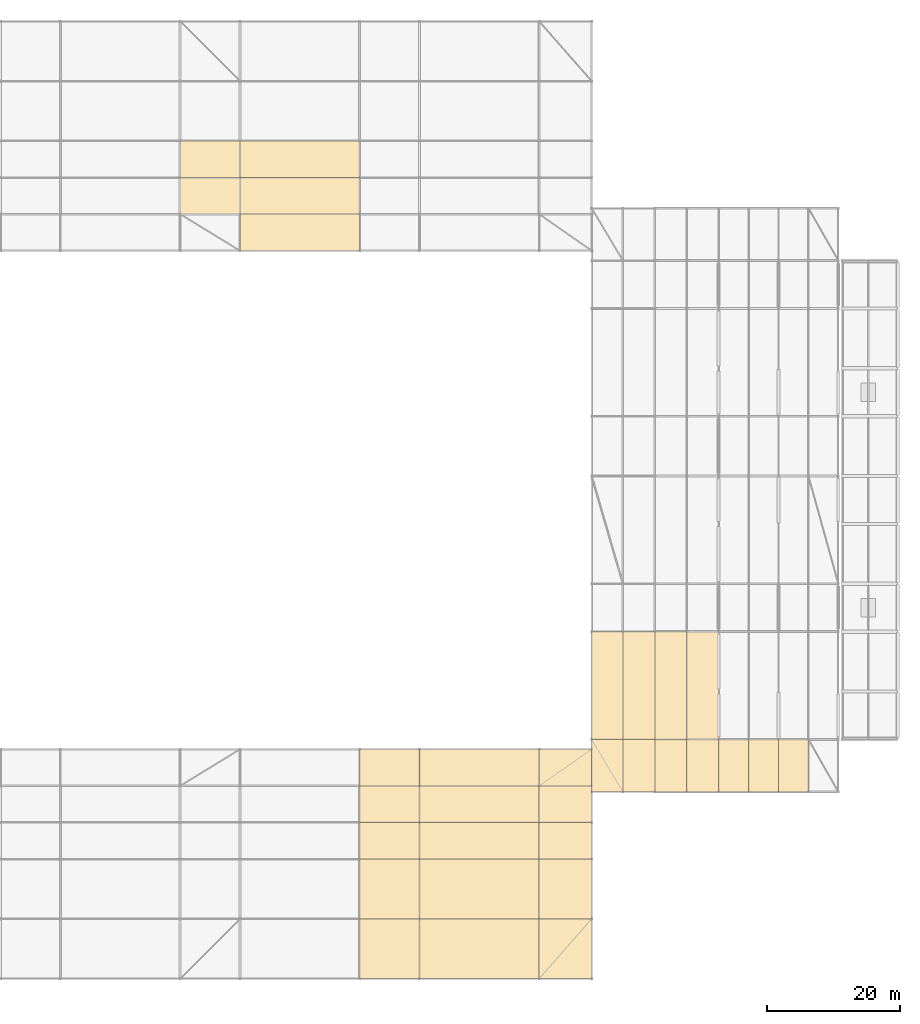
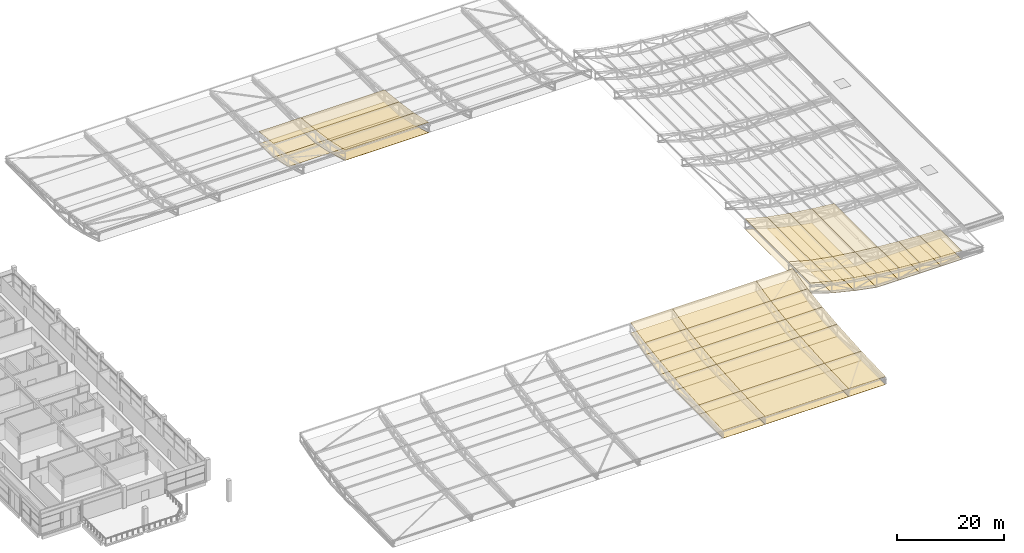
# One storey, part 111 of 114: 60 coverings, 4 elements without a shape of their own.
"""IFC4 building model written with IfcOpenShell, lengths in metres."""

from ifc_helpers import new_model, si_unit, direction, frame, origin, place, context, subcontext, project, spatial, polyline, outline, extrude, material, layer, layer_set, type_object, element, aggregate, save


model = new_model("IFC4")

# Units and contexts
model_context = context("Model", 3, precision=1e-05, world=origin(), true_north=direction((0.0, 1.0)))
body_context = subcontext(model_context, "Body", "Model", "MODEL_VIEW")
ifc_project = project(units=[si_unit("LENGTHUNIT", "METRE"), si_unit("AREAUNIT", "SQUARE_METRE"), si_unit("VOLUMEUNIT", "CUBIC_METRE"), si_unit("PLANEANGLEUNIT", "RADIAN"), si_unit("MASSUNIT", "GRAM", prefix="KILO"), si_unit("THERMODYNAMICTEMPERATUREUNIT", "KELVIN"), si_unit("POWERUNIT", "WATT")], contexts=[model_context])

# Site, building, storey
site_placement = place(None, origin())
site = spatial("IfcSite", under=ifc_project, at=site_placement, CompositionType="ELEMENT")
building_placement = place(site_placement, origin())
building = spatial("IfcBuilding", under=site, at=building_placement, Name="Sindhuravela Promenade Stadium", CompositionType="ELEMENT")
storey_placement = place(building_placement, frame((0.0, 0.0, 24.0)))
storey = spatial("IfcBuildingStorey", under=building, at=storey_placement, Name="L05", CompositionType="ELEMENT", Elevation=24.0)

# Roof, coverings
ifc_material_1 = material(Name="Standing-seam zinc-aluminium roof sheet", Category="aluminium")
roof_type_1 = type_object("IfcRoofType", Name="RF-BARREL-E", PredefinedType="BARREL_ROOF", material=ifc_material_1)
roof_1_placement = place(storey_placement, origin())
roof_1 = element("IfcRoof", 1, at=roof_1_placement, inside=storey, type_object=roof_type_1, Name="Cantilevered stand roof assembly E-1", PredefinedType="BARREL_ROOF")
ifc_layer_1 = layer(ifc_material_1, 0.044921875)
ifc_layer_set_1 = layer_set([ifc_layer_1], Name="Standing-seam zinc-aluminium roof sheet")
covering_type_1 = type_object("IfcCoveringType", Name="CV-ROOF-E", PredefinedType="ROOFING", material=ifc_layer_set_1)
covering_1_placement = place(storey_placement, frame((193.5, 37.10009765625, 1.66064453125), z_axis=(0.044011133083803756, 0.0, 0.9990310406412203), x_axis=(0.0, 1.0, 0.0)))
covering_1 = element("IfcCovering", 2, at=covering_1_placement, type_object=covering_type_1, Name="Standing-seam roof covering E bay 1.2", PredefinedType="ROOFING", context=body_context, shape_type="SweptSolid", body=[
    extrude(outline(polyline([(0.0, 0.0), (7.89990234375, 0.0), (7.89990234375, 4.504364546182378), (0.0, 4.504364546182378), (0.0, 0.0)])), origin(), (0.0, 0.0, -1.0), 0.044921875),
])
covering_2_placement = place(storey_placement, frame((189.0, 37.10009765625, 1.85888671875), z_axis=(0.060436199081064255, 0.0, 0.9981720622420935), x_axis=(0.0, 1.0, 0.0)))
covering_2 = element("IfcCovering", 3, at=covering_2_placement, type_object=covering_type_1, Name="Standing-seam roof covering E bay 1.3", PredefinedType="ROOFING", context=body_context, shape_type="SweptSolid", body=[
    extrude(outline(polyline([(0.0, 0.0), (7.89990234375, 0.0), (7.89990234375, 4.508240783549985), (0.0, 4.508240783549985), (0.0, 0.0)])), origin(), (0.0, 0.0, -1.0), 0.044921875),
])
covering_3_placement = place(storey_placement, frame((184.5, 37.10009765625, 2.13134765625), z_axis=(0.07896274138457582, 0.0, 0.996877567945549), x_axis=(0.0, 1.0, 0.0)))
covering_3 = element("IfcCovering", 4, at=covering_3_placement, type_object=covering_type_1, Name="Standing-seam roof covering E bay 1.4", PredefinedType="ROOFING", context=body_context, shape_type="SweptSolid", body=[
    extrude(outline(polyline([(0.0, 0.0), (7.89990234375, 0.0), (7.89990234375, 4.514094954783653), (0.0, 4.514094954783653), (0.0, 0.0)])), origin(), (0.0, 0.0, -1.0), 0.044921875),
])
covering_4_placement = place(storey_placement, frame((180.0, 37.10009765625, 2.48779296875), z_axis=(0.10190304617894302, 0.0, 0.9947943351162855), x_axis=(0.0, 1.0, 0.0)))
covering_4 = element("IfcCovering", 5, at=covering_4_placement, type_object=covering_type_1, Name="Standing-seam roof covering E bay 1.5", PredefinedType="ROOFING", context=body_context, shape_type="SweptSolid", body=[
    extrude(outline(polyline([(0.0, 0.0), (7.89990234375, 0.0), (7.89990234375, 4.825167030694747), (0.0, 4.825167030694747), (0.0, 0.0)])), origin(), (0.0, 0.0, -1.0), 0.044921875),
])
covering_5_placement = place(storey_placement, frame((175.199951171875, 37.10009765625, 2.9794921875), z_axis=(0.1322396730802035, 0.0, 0.9912177706556925), x_axis=(0.0, 1.0, 0.0)))
covering_5 = element("IfcCovering", 6, at=covering_5_placement, type_object=covering_type_1, Name="Standing-seam roof covering E bay 1.6", PredefinedType="ROOFING", context=body_context, shape_type="SweptSolid", body=[
    extrude(outline(polyline([(0.0, 0.0), (7.89990234375, 0.0), (7.89990234375, 4.842577453943101), (0.0, 4.842577453943101), (0.0, 0.0)])), origin(), (0.0, 0.0, -1.0), 0.044921875),
])
covering_6_placement = place(storey_placement, frame((170.39990234375, 37.10009765625, 3.619873046875), z_axis=(0.17653223173388988, 0.0, 0.9842948598662152), x_axis=(0.0, 1.0, 0.0)))
covering_6 = element("IfcCovering", 7, at=covering_6_placement, type_object=covering_type_1, Name="Standing-seam roof covering E bay 1.7", PredefinedType="ROOFING", context=body_context, shape_type="SweptSolid", body=[
    extrude(outline(polyline([(0.0, 0.0), (7.89990234375, 0.0), (7.89990234375, 4.876389061050656), (0.0, 4.876389061050656), (0.0, 0.0)])), origin(), (0.0, 0.0, -1.0), 0.044921875),
])
covering_7_placement = place(storey_placement, frame((165.60009765625, 37.10009765625, 4.480712890625), z_axis=(0.2568720746349965, 0.0, 0.9664454134987204), x_axis=(0.0, 1.0, 0.0)))
covering_7 = element("IfcCovering", 8, at=covering_7_placement, type_object=covering_type_1, Name="Standing-seam roof covering E bay 1.8", PredefinedType="ROOFING", context=body_context, shape_type="SweptSolid", body=[
    extrude(outline(polyline([(0.0, 0.0), (7.89990234375, 0.0), (7.89990234375, 4.8633841568810166), (0.0, 4.8633841568810166), (0.0, 0.0)])), origin(), (0.0, 0.0, -1.0), 0.044921875),
])
covering_8_placement = place(storey_placement, frame((180.0, 45.0, 2.48779296875), z_axis=(0.10190304617894302, 0.0, 0.9947943351162853), x_axis=(0.0, 1.0, 0.0)))
covering_8 = element("IfcCovering", 9, at=covering_8_placement, type_object=covering_type_1, Name="Standing-seam roof covering E bay 2.5", PredefinedType="ROOFING", context=body_context, shape_type="SweptSolid", body=[
    extrude(outline(polyline([(0.0, 0.0), (16.199951171875, 0.0), (16.199951171875, 4.825167030694746), (0.0, 4.825167030694746), (0.0, 0.0)])), origin(), (0.0, 0.0, -1.0), 0.044921875),
])
covering_9_placement = place(storey_placement, frame((175.199951171875, 45.0, 2.9794921875), z_axis=(0.1322396730802035, 0.0, 0.9912177706556924), x_axis=(0.0, 1.0, 0.0)))
covering_9 = element("IfcCovering", 10, at=covering_9_placement, type_object=covering_type_1, Name="Standing-seam roof covering E bay 2.6", PredefinedType="ROOFING", context=body_context, shape_type="SweptSolid", body=[
    extrude(outline(polyline([(0.0, 0.0), (16.199951171875, 0.0), (16.199951171875, 4.842577453943101), (0.0, 4.842577453943101), (0.0, 0.0)])), origin(), (0.0, 0.0, -1.0), 0.044921875),
])
covering_10_placement = place(storey_placement, frame((170.39990234375, 45.0, 3.619873046875), z_axis=(0.17653223173388985, 0.0, 0.9842948598662151), x_axis=(0.0, 1.0, 0.0)))
covering_10 = element("IfcCovering", 11, at=covering_10_placement, type_object=covering_type_1, Name="Standing-seam roof covering E bay 2.7", PredefinedType="ROOFING", context=body_context, shape_type="SweptSolid", body=[
    extrude(outline(polyline([(0.0, 0.0), (16.199951171875, 0.0), (16.199951171875, 4.876389061050656), (0.0, 4.876389061050656), (0.0, 0.0)])), origin(), (0.0, 0.0, -1.0), 0.044921875),
])
covering_11_placement = place(storey_placement, frame((165.60009765625, 45.0, 4.480712890625), z_axis=(0.2568720746349965, 0.0, 0.9664454134987206), x_axis=(0.0, 1.0, 0.0)))
covering_11 = element("IfcCovering", 12, at=covering_11_placement, type_object=covering_type_1, Name="Standing-seam roof covering E bay 2.8", PredefinedType="ROOFING", context=body_context, shape_type="SweptSolid", body=[
    extrude(outline(polyline([(0.0, 0.0), (16.199951171875, 0.0), (16.199951171875, 4.863384156881017), (0.0, 4.863384156881017), (0.0, 0.0)])), origin(), (0.0, 0.0, -1.0), 0.044921875),
])
aggregate(roof_1, [covering_1, covering_2, covering_3, covering_4, covering_5, covering_6, covering_7, covering_8, covering_9, covering_10, covering_11])

# Roof, covering
roof_type_2 = type_object("IfcRoofType", Name="RF-BARREL-N", PredefinedType="BARREL_ROOF", material=ifc_material_1)
roof_2_placement = place(storey_placement, origin())
roof_2 = element("IfcRoof", 13, at=roof_2_placement, inside=storey, type_object=roof_type_2, Name="Cantilevered stand roof assembly N-1", PredefinedType="BARREL_ROOF")
ifc_layer_2 = layer(ifc_material_1, 0.044921875)
ifc_layer_set_2 = layer_set([ifc_layer_2], Name="Standing-seam zinc-aluminium roof sheet")
covering_type_2 = type_object("IfcCoveringType", Name="CV-ROOF-N", PredefinedType="ROOFING", material=ifc_layer_set_2)
covering_12_placement = place(storey_placement, frame((99.0, 135.0, 2.47314453125), z_axis=(0.0, 0.1065455909441987, 0.9943078180575428), x_axis=(1.0, 0.0, 0.0)))
covering_12 = element("IfcCovering", 14, at=covering_12_placement, type_object=covering_type_2, Name="Standing-seam roof covering N bay 4.3", PredefinedType="ROOFING", context=body_context, shape_type="SweptSolid", body=[
    extrude(outline(polyline([(0.0, 0.0), (0.0, -5.531486226010649), (9.0, -5.531486226010649), (9.0, 0.0), (0.0, 0.0)])), origin(), (0.0, 0.0, -1.0), 0.044921875),
])
aggregate(roof_2, [covering_12])

# Roof, coverings
roof_3_placement = place(storey_placement, origin())
roof_3 = element("IfcRoof", 15, at=roof_3_placement, inside=storey, type_object=roof_type_2, Name="Cantilevered stand roof assembly N-2", PredefinedType="BARREL_ROOF")
covering_13_placement = place(storey_placement, frame((108.0, 135.0, 2.47314453125), z_axis=(0.0, 0.1065455909441987, 0.9943078180575428), x_axis=(1.0, 0.0, 0.0)))
covering_13 = element("IfcCovering", 16, at=covering_13_placement, type_object=covering_type_2, Name="Standing-seam roof covering N bay 5.3", PredefinedType="ROOFING", context=body_context, shape_type="SweptSolid", body=[
    extrude(outline(polyline([(0.0, 0.0), (0.0, -5.531486226010649), (18.0, -5.531486226010649), (18.0, 0.0), (0.0, 0.0)])), origin(), (0.0, 0.0, -1.0), 0.044921875),
])
covering_14_placement = place(storey_placement, frame((108.0, 129.5, 3.0625), z_axis=(0.0, 0.14687168523012892, 0.9891555530237203), x_axis=(1.0, 0.0, 0.0)))
covering_14 = element("IfcCovering", 17, at=covering_14_placement, type_object=covering_type_2, Name="Standing-seam roof covering N bay 5.4", PredefinedType="ROOFING", context=body_context, shape_type="SweptSolid", body=[
    extrude(outline(polyline([(0.0, 0.0), (0.0, -5.560298360745398), (18.0, -5.560298360745398), (18.0, 0.0), (0.0, 0.0)])), origin(), (0.0, 0.0, -1.0), 0.044921875),
])
covering_15_placement = place(storey_placement, frame((108.0, 124.0, 3.879150390625), z_axis=(0.0, 0.2184070831753663, 0.9758577488644689), x_axis=(1.0, 0.0, 0.0)))
covering_15 = element("IfcCovering", 18, at=covering_15_placement, type_object=covering_type_2, Name="Standing-seam roof covering N bay 5.5", PredefinedType="ROOFING", context=body_context, shape_type="SweptSolid", body=[
    extrude(outline(polyline([(0.0, 0.0), (0.0, -5.6360673534640995), (18.0, -5.6360673534640995), (18.0, 0.0), (0.0, 0.0)])), origin(), (0.0, 0.0, -1.0), 0.044921875),
])
aggregate(roof_3, [covering_13, covering_14, covering_15])

roof_type_3 = type_object("IfcRoofType", Name="RF-BARREL-S", PredefinedType="BARREL_ROOF", material=ifc_material_1)
roof_4_placement = place(storey_placement, origin())
roof_4 = element("IfcRoof", 19, at=roof_4_placement, inside=storey, type_object=roof_type_3, Name="Cantilevered stand roof assembly S-2", PredefinedType="BARREL_ROOF")
ifc_layer_3 = layer(ifc_material_1, 0.044921875)
ifc_layer_set_3 = layer_set([ifc_layer_3], Name="Standing-seam zinc-aluminium roof sheet")
covering_type_3 = type_object("IfcCoveringType", Name="CV-ROOF-S", PredefinedType="ROOFING", material=ifc_layer_set_3)
covering_16_placement = place(storey_placement, frame((126.0, 9.0, 1.510009765625), z_axis=(0.0, -0.03632583546850815, 0.9993399990381227), x_axis=(1.0, 0.0, 0.0)))
covering_16 = element("IfcCovering", 20, at=covering_16_placement, type_object=covering_type_3, Name="Standing-seam roof covering S bay 6.1", PredefinedType="ROOFING", context=body_context, shape_type="SweptSolid", body=[
    extrude(outline(polyline([(0.0, 0.0), (9.0, 0.0), (9.0, 9.005943931657509), (0.0, 9.005943931657509), (0.0, 0.0)])), origin(), (0.0, 0.0, -1.0), 0.044921875),
])
covering_17_placement = place(storey_placement, frame((126.0, 18.0, 1.837158203125), z_axis=(0.0, -0.07048937017679614, 0.9975125305940165), x_axis=(1.0, 0.0, 0.0)))
covering_17 = element("IfcCovering", 21, at=covering_17_placement, type_object=covering_type_3, Name="Standing-seam roof covering S bay 6.2", PredefinedType="ROOFING", context=body_context, shape_type="SweptSolid", body=[
    extrude(outline(polyline([(0.0, 0.0), (9.0, 0.0), (9.0, 9.022443051056733), (0.0, 9.022443051056733), (0.0, 0.0)])), origin(), (0.0, 0.0, -1.0), 0.044921875),
])
covering_18_placement = place(storey_placement, frame((126.0, 27.0, 2.47314453125), z_axis=(0.0, -0.1065455909441987, 0.9943078180575428), x_axis=(1.0, 0.0, 0.0)))
covering_18 = element("IfcCovering", 22, at=covering_18_placement, type_object=covering_type_3, Name="Standing-seam roof covering S bay 6.3", PredefinedType="ROOFING", context=body_context, shape_type="SweptSolid", body=[
    extrude(outline(polyline([(0.0, 0.0), (9.0, 0.0), (9.0, 5.531486226010649), (0.0, 5.531486226010649), (0.0, 0.0)])), origin(), (0.0, 0.0, -1.0), 0.044921875),
])
covering_19_placement = place(storey_placement, frame((126.0, 32.5, 3.0625), z_axis=(0.0, -0.14687168523012892, 0.9891555530237203), x_axis=(1.0, 0.0, 0.0)))
covering_19 = element("IfcCovering", 23, at=covering_19_placement, type_object=covering_type_3, Name="Standing-seam roof covering S bay 6.4", PredefinedType="ROOFING", context=body_context, shape_type="SweptSolid", body=[
    extrude(outline(polyline([(0.0, 0.0), (9.0, 0.0), (9.0, 5.560298360745398), (0.0, 5.560298360745398), (0.0, 0.0)])), origin(), (0.0, 0.0, -1.0), 0.044921875),
])
covering_20_placement = place(storey_placement, frame((126.0, 38.0, 3.879150390625), z_axis=(0.0, -0.2184070831753663, 0.9758577488644689), x_axis=(1.0, 0.0, 0.0)))
covering_20 = element("IfcCovering", 24, at=covering_20_placement, type_object=covering_type_3, Name="Standing-seam roof covering S bay 6.5", PredefinedType="ROOFING", context=body_context, shape_type="SweptSolid", body=[
    extrude(outline(polyline([(0.0, 0.0), (9.0, 0.0), (9.0, 5.6360673534640995), (0.0, 5.6360673534640995), (0.0, 0.0)])), origin(), (0.0, 0.0, -1.0), 0.044921875),
])
covering_21_placement = place(storey_placement, frame((135.0, 9.0, 1.510009765625), z_axis=(0.0, -0.03632583546850815, 0.9993399990381227), x_axis=(1.0, 0.0, 0.0)))
covering_21 = element("IfcCovering", 25, at=covering_21_placement, type_object=covering_type_3, Name="Standing-seam roof covering S bay 7.1", PredefinedType="ROOFING", context=body_context, shape_type="SweptSolid", body=[
    extrude(outline(polyline([(0.0, 0.0), (18.0, 0.0), (18.0, 9.005943931657509), (0.0, 9.005943931657509), (0.0, 0.0)])), origin(), (0.0, 0.0, -1.0), 0.044921875),
])
covering_22_placement = place(storey_placement, frame((135.0, 18.0, 1.837158203125), z_axis=(0.0, -0.07048937017679614, 0.9975125305940165), x_axis=(1.0, 0.0, 0.0)))
covering_22 = element("IfcCovering", 26, at=covering_22_placement, type_object=covering_type_3, Name="Standing-seam roof covering S bay 7.2", PredefinedType="ROOFING", context=body_context, shape_type="SweptSolid", body=[
    extrude(outline(polyline([(0.0, 0.0), (18.0, 0.0), (18.0, 9.022443051056733), (0.0, 9.022443051056733), (0.0, 0.0)])), origin(), (0.0, 0.0, -1.0), 0.044921875),
])
covering_23_placement = place(storey_placement, frame((135.0, 27.0, 2.47314453125), z_axis=(0.0, -0.1065455909441987, 0.9943078180575428), x_axis=(1.0, 0.0, 0.0)))
covering_23 = element("IfcCovering", 27, at=covering_23_placement, type_object=covering_type_3, Name="Standing-seam roof covering S bay 7.3", PredefinedType="ROOFING", context=body_context, shape_type="SweptSolid", body=[
    extrude(outline(polyline([(0.0, 0.0), (18.0, 0.0), (18.0, 5.531486226010649), (0.0, 5.531486226010649), (0.0, 0.0)])), origin(), (0.0, 0.0, -1.0), 0.044921875),
])
covering_24_placement = place(storey_placement, frame((135.0, 32.5, 3.0625), z_axis=(0.0, -0.14687168523012892, 0.9891555530237203), x_axis=(1.0, 0.0, 0.0)))
covering_24 = element("IfcCovering", 28, at=covering_24_placement, type_object=covering_type_3, Name="Standing-seam roof covering S bay 7.4", PredefinedType="ROOFING", context=body_context, shape_type="SweptSolid", body=[
    extrude(outline(polyline([(0.0, 0.0), (18.0, 0.0), (18.0, 5.560298360745398), (0.0, 5.560298360745398), (0.0, 0.0)])), origin(), (0.0, 0.0, -1.0), 0.044921875),
])
covering_25_placement = place(storey_placement, frame((135.0, 38.0, 3.879150390625), z_axis=(0.0, -0.2184070831753663, 0.9758577488644689), x_axis=(1.0, 0.0, 0.0)))
covering_25 = element("IfcCovering", 29, at=covering_25_placement, type_object=covering_type_3, Name="Standing-seam roof covering S bay 7.5", PredefinedType="ROOFING", context=body_context, shape_type="SweptSolid", body=[
    extrude(outline(polyline([(0.0, 0.0), (18.0, 0.0), (18.0, 5.6360673534640995), (0.0, 5.6360673534640995), (0.0, 0.0)])), origin(), (0.0, 0.0, -1.0), 0.044921875),
])
covering_26_placement = place(storey_placement, frame((153.0, 9.0, 1.510009765625), z_axis=(0.0, -0.03632583546850815, 0.9993399990381228), x_axis=(1.0, 0.0, 0.0)))
covering_26 = element("IfcCovering", 30, at=covering_26_placement, type_object=covering_type_3, Name="Standing-seam roof covering S bay 8.1", PredefinedType="ROOFING", context=body_context, shape_type="SweptSolid", body=[
    extrude(outline(polyline([(0.0, 0.0), (7.89990234375, 0.0), (7.89990234375, 9.00594393165751), (0.0, 9.00594393165751), (0.0, 0.0)])), origin(), (0.0, 0.0, -1.0), 0.044921875),
])
covering_27_placement = place(storey_placement, frame((153.0, 18.0, 1.837158203125), z_axis=(0.0, -0.07048937017679614, 0.9975125305940166), x_axis=(1.0, 0.0, 0.0)))
covering_27 = element("IfcCovering", 31, at=covering_27_placement, type_object=covering_type_3, Name="Standing-seam roof covering S bay 8.2", PredefinedType="ROOFING", context=body_context, shape_type="SweptSolid", body=[
    extrude(outline(polyline([(0.0, 0.0), (7.89990234375, 0.0), (7.89990234375, 9.022443051056733), (0.0, 9.022443051056733), (0.0, 0.0)])), origin(), (0.0, 0.0, -1.0), 0.044921875),
])
covering_28_placement = place(storey_placement, frame((153.0, 27.0, 2.47314453125), z_axis=(0.0, -0.10654559094419869, 0.9943078180575426), x_axis=(1.0, 0.0, 0.0)))
covering_28 = element("IfcCovering", 32, at=covering_28_placement, type_object=covering_type_3, Name="Standing-seam roof covering S bay 8.3", PredefinedType="ROOFING", context=body_context, shape_type="SweptSolid", body=[
    extrude(outline(polyline([(0.0, 0.0), (7.89990234375, 0.0), (7.89990234375, 5.5314862260106485), (0.0, 5.5314862260106485), (0.0, 0.0)])), origin(), (0.0, 0.0, -1.0), 0.044921875),
])
covering_29_placement = place(storey_placement, frame((153.0, 32.5, 3.0625), z_axis=(0.0, -0.14687168523012892, 0.9891555530237204), x_axis=(1.0, 0.0, 0.0)))
covering_29 = element("IfcCovering", 33, at=covering_29_placement, type_object=covering_type_3, Name="Standing-seam roof covering S bay 8.4", PredefinedType="ROOFING", context=body_context, shape_type="SweptSolid", body=[
    extrude(outline(polyline([(0.0, 0.0), (7.89990234375, 0.0), (7.89990234375, 5.560298360745398), (0.0, 5.560298360745398), (0.0, 0.0)])), origin(), (0.0, 0.0, -1.0), 0.044921875),
])
covering_30_placement = place(storey_placement, frame((153.0, 38.0, 3.879150390625), z_axis=(0.0, -0.21840708317536628, 0.9758577488644687), x_axis=(1.0, 0.0, 0.0)))
covering_30 = element("IfcCovering", 34, at=covering_30_placement, type_object=covering_type_3, Name="Standing-seam roof covering S bay 8.5", PredefinedType="ROOFING", context=body_context, shape_type="SweptSolid", body=[
    extrude(outline(polyline([(0.0, 0.0), (7.89990234375, 0.0), (7.89990234375, 5.6360673534640995), (0.0, 5.6360673534640995), (0.0, 0.0)])), origin(), (0.0, 0.0, -1.0), 0.044921875),
])
aggregate(roof_4, [covering_16, covering_17, covering_18, covering_19, covering_20, covering_21, covering_22, covering_23, covering_24, covering_25, covering_26, covering_27, covering_28, covering_29, covering_30])

# Coverings
ifc_material_2 = material(Name="White PVDF aluminium soffit cladding", Category="aluminium")
ifc_layer_4 = layer(ifc_material_2, 0.034912109375)
ifc_layer_set_4 = layer_set([ifc_layer_4], Name="White PVDF aluminium soffit cladding")
covering_type_4 = type_object("IfcCoveringType", Name="CV-SOFFIT-E", PredefinedType="CEILING", material=ifc_layer_set_4)
for number, where, z_axis, x_axis, name in (
    (35, (193.5, 37.10009765625, -0.300048828125), (0.0, 0.0, 1.0), (0.0, 1.0, 0.0), "Smooth white canopy soffit cladding E bay 1.2"),
    (36, (189.0, 37.10009765625, -0.300048828125), (0.0, 0.0, 1.0), (0.0, 1.0, 0.0), "Smooth white canopy soffit cladding E bay 1.3"),
    (37, (184.5, 37.10009765625, -0.300048828125), (0.0, 0.0, 1.0), (0.0, 1.0, 0.0), "Smooth white canopy soffit cladding E bay 1.4"),
):
    element("IfcCovering", number, at=place(storey_placement, frame(where, z_axis=z_axis, x_axis=x_axis)), inside=storey, type_object=covering_type_4, Name=name, PredefinedType="CEILING", context=body_context, shape_type="SweptSolid", body=[
        extrude(outline(polyline([(0.0, 0.0), (7.89990234375, 0.0), (7.89990234375, 4.5), (0.0, 4.5), (0.0, 0.0)])), origin(), (0.0, 0.0, -1.0), 0.034912109375),
    ])
covering_31_placement = place(storey_placement, frame((180.0, 37.10009765625, -0.300048828125), z_axis=(0.006713647583757802, 0.0, 0.9999774632141072), x_axis=(0.0, 1.0, 0.0)))
element("IfcCovering", 38, at=covering_31_placement, inside=storey, type_object=covering_type_4, Name="Smooth white canopy soffit cladding E bay 1.5", PredefinedType="CEILING", context=body_context, shape_type="SweptSolid", body=[
    extrude(outline(polyline([(0.0, 0.0), (7.89990234375, 0.0), (7.89990234375, 4.800157008235746), (0.0, 4.800157008235746), (0.0, 0.0)])), origin(), (0.0, 0.0, -1.0), 0.034912109375),
])
covering_32_placement = place(storey_placement, frame((175.199951171875, 37.10009765625, -0.267822265625), z_axis=(0.18884924617406632, 0.0, 0.9820060907242312), x_axis=(0.0, 1.0, 0.0)))
element("IfcCovering", 39, at=covering_32_placement, inside=storey, type_object=covering_type_4, Name="Smooth white canopy soffit cladding E bay 1.6", PredefinedType="CEILING", context=body_context, shape_type="SweptSolid", body=[
    extrude(outline(polyline([(0.0, 0.0), (7.89990234375, 0.0), (7.89990234375, 4.888003112674134), (0.0, 4.888003112674134), (0.0, 0.0)])), origin(), (0.0, 0.0, -1.0), 0.034912109375),
])
covering_33_placement = place(storey_placement, frame((170.39990234375, 37.10009765625, 0.6552734375), z_axis=(0.23181005160513107, 0.0, 0.9727610703429833), x_axis=(0.0, 1.0, 0.0)))
element("IfcCovering", 40, at=covering_33_placement, inside=storey, type_object=covering_type_4, Name="Smooth white canopy soffit cladding E bay 1.7", PredefinedType="CEILING", context=body_context, shape_type="SweptSolid", body=[
    extrude(outline(polyline([(0.0, 0.0), (7.89990234375, 0.0), (7.89990234375, 4.934207210623313), (0.0, 4.934207210623313), (0.0, 0.0)])), origin(), (0.0, 0.0, -1.0), 0.034912109375),
])
covering_34_placement = place(storey_placement, frame((165.60009765625, 37.10009765625, 1.799072265625), z_axis=(0.308777732190374, 0.0, 0.951134224020653), x_axis=(0.0, 1.0, 0.0)))
element("IfcCovering", 41, at=covering_34_placement, inside=storey, type_object=covering_type_4, Name="Smooth white canopy soffit cladding E bay 1.8", PredefinedType="CEILING", context=body_context, shape_type="SweptSolid", body=[
    extrude(outline(polyline([(0.0, 0.0), (7.89990234375, 0.0), (7.89990234375, 4.941674049569201), (0.0, 4.941674049569201), (0.0, 0.0)])), origin(), (0.0, 0.0, -1.0), 0.034912109375),
])
covering_35_placement = place(storey_placement, frame((175.199951171875, 45.0, -0.267822265625), z_axis=(0.18884924617406632, 0.0, 0.9820060907242311), x_axis=(0.0, 1.0, 0.0)))
element("IfcCovering", 42, at=covering_35_placement, inside=storey, type_object=covering_type_4, Name="Smooth white canopy soffit cladding E bay 2.6", PredefinedType="CEILING", context=body_context, shape_type="SweptSolid", body=[
    extrude(outline(polyline([(0.0, 0.0), (16.199951171875, 0.0), (16.199951171875, 4.8880031126741335), (0.0, 4.8880031126741335), (0.0, 0.0)])), origin(), (0.0, 0.0, -1.0), 0.034912109375),
])
covering_36_placement = place(storey_placement, frame((170.39990234375, 45.0, 0.6552734375), z_axis=(0.23181005160513107, 0.0, 0.9727610703429833), x_axis=(0.0, 1.0, 0.0)))
element("IfcCovering", 43, at=covering_36_placement, inside=storey, type_object=covering_type_4, Name="Smooth white canopy soffit cladding E bay 2.7", PredefinedType="CEILING", context=body_context, shape_type="SweptSolid", body=[
    extrude(outline(polyline([(0.0, 0.0), (16.199951171875, 0.0), (16.199951171875, 4.934207210623313), (0.0, 4.934207210623313), (0.0, 0.0)])), origin(), (0.0, 0.0, -1.0), 0.034912109375),
])
covering_37_placement = place(storey_placement, frame((165.60009765625, 45.0, 1.799072265625), z_axis=(0.308777732190374, 0.0, 0.951134224020653), x_axis=(0.0, 1.0, 0.0)))
element("IfcCovering", 44, at=covering_37_placement, inside=storey, type_object=covering_type_4, Name="Smooth white canopy soffit cladding E bay 2.8", PredefinedType="CEILING", context=body_context, shape_type="SweptSolid", body=[
    extrude(outline(polyline([(0.0, 0.0), (16.199951171875, 0.0), (16.199951171875, 4.941674049569201), (0.0, 4.941674049569201), (0.0, 0.0)])), origin(), (0.0, 0.0, -1.0), 0.034912109375),
])
ifc_layer_5 = layer(ifc_material_2, 0.034912109375)
ifc_layer_set_5 = layer_set([ifc_layer_5], Name="White PVDF aluminium soffit cladding")
covering_type_5 = type_object("IfcCoveringType", Name="CV-SOFFIT-N", PredefinedType="CEILING", material=ifc_layer_set_5)
covering_38_placement = place(storey_placement, frame((99.0, 135.0, -0.300048828125), z_axis=(0.0, 0.04133538022189949, 0.9991453279387894), x_axis=(1.0, 0.0, 0.0)))
element("IfcCovering", 45, at=covering_38_placement, inside=storey, type_object=covering_type_5, Name="Smooth white canopy soffit cladding N bay 4.3", PredefinedType="CEILING", context=body_context, shape_type="SweptSolid", body=[
    extrude(outline(polyline([(0.0, 0.0), (0.0, -5.5047047173271135), (9.0, -5.5047047173271135), (9.0, 0.0), (0.0, 0.0)])), origin(), (0.0, 0.0, -1.0), 0.034912109375),
])
covering_39_placement = place(storey_placement, frame((99.0, 129.5, -0.072509765625), z_axis=(0.0, 0.21175058451368897, 0.9773237385626685), x_axis=(1.0, 0.0, 0.0)))
element("IfcCovering", 46, at=covering_39_placement, inside=storey, type_object=covering_type_5, Name="Smooth white canopy soffit cladding N bay 4.4", PredefinedType="CEILING", context=body_context, shape_type="SweptSolid", body=[
    extrude(outline(polyline([(0.0, 0.0), (0.0, -5.627613228845486), (9.0, -5.627613228845486), (9.0, 0.0), (0.0, 0.0)])), origin(), (0.0, 0.0, -1.0), 0.034912109375),
])
covering_40_placement = place(storey_placement, frame((108.0, 135.0, -0.300048828125), z_axis=(0.0, 0.04133538022189949, 0.9991453279387894), x_axis=(1.0, 0.0, 0.0)))
element("IfcCovering", 47, at=covering_40_placement, inside=storey, type_object=covering_type_5, Name="Smooth white canopy soffit cladding N bay 5.3", PredefinedType="CEILING", context=body_context, shape_type="SweptSolid", body=[
    extrude(outline(polyline([(0.0, 0.0), (0.0, -5.5047047173271135), (18.0, -5.5047047173271135), (18.0, 0.0), (0.0, 0.0)])), origin(), (0.0, 0.0, -1.0), 0.034912109375),
])
covering_41_placement = place(storey_placement, frame((108.0, 129.5, -0.072509765625), z_axis=(0.0, 0.21175058451368897, 0.9773237385626685), x_axis=(1.0, 0.0, 0.0)))
element("IfcCovering", 48, at=covering_41_placement, inside=storey, type_object=covering_type_5, Name="Smooth white canopy soffit cladding N bay 5.4", PredefinedType="CEILING", context=body_context, shape_type="SweptSolid", body=[
    extrude(outline(polyline([(0.0, 0.0), (0.0, -5.627613228845486), (18.0, -5.627613228845486), (18.0, 0.0), (0.0, 0.0)])), origin(), (0.0, 0.0, -1.0), 0.034912109375),
])
covering_42_placement = place(storey_placement, frame((108.0, 124.0, 1.119140625), z_axis=(0.0, 0.28028796219145374, 0.9599159641606978), x_axis=(1.0, 0.0, 0.0)))
element("IfcCovering", 49, at=covering_42_placement, inside=storey, type_object=covering_type_5, Name="Smooth white canopy soffit cladding N bay 5.5", PredefinedType="CEILING", context=body_context, shape_type="SweptSolid", body=[
    extrude(outline(polyline([(0.0, 0.0), (0.0, -5.729668226539937), (18.0, -5.729668226539937), (18.0, 0.0), (0.0, 0.0)])), origin(), (0.0, 0.0, -1.0), 0.034912109375),
])
ifc_layer_6 = layer(ifc_material_2, 0.034912109375)
ifc_layer_set_6 = layer_set([ifc_layer_6], Name="White PVDF aluminium soffit cladding")
covering_type_6 = type_object("IfcCoveringType", Name="CV-SOFFIT-S", PredefinedType="CEILING", material=ifc_layer_set_6)
for number, where, z_axis, x_axis, name in (
    (50, (126.0, 9.0, -0.300048828125), (0.0, 0.0, 1.0), (1.0, 0.0, 0.0), "Smooth white canopy soffit cladding S bay 6.1"),
    (51, (126.0, 18.0, -0.300048828125), (0.0, 0.0, 1.0), (1.0, 0.0, 0.0), "Smooth white canopy soffit cladding S bay 6.2"),
):
    element("IfcCovering", number, at=place(storey_placement, frame(where, z_axis=z_axis, x_axis=x_axis)), inside=storey, type_object=covering_type_6, Name=name, PredefinedType="CEILING", context=body_context, shape_type="SweptSolid", body=[
        extrude(outline(polyline([(0.0, 0.0), (9.0, 0.0), (9.0, 9.0), (0.0, 9.0), (0.0, 0.0)])), origin(), (0.0, 0.0, -1.0), 0.034912109375),
    ])
covering_43_placement = place(storey_placement, frame((126.0, 27.0, -0.300048828125), z_axis=(0.0, -0.04133538022189949, 0.9991453279387894), x_axis=(1.0, 0.0, 0.0)))
element("IfcCovering", 52, at=covering_43_placement, inside=storey, type_object=covering_type_6, Name="Smooth white canopy soffit cladding S bay 6.3", PredefinedType="CEILING", context=body_context, shape_type="SweptSolid", body=[
    extrude(outline(polyline([(0.0, 0.0), (9.0, 0.0), (9.0, 5.5047047173271135), (0.0, 5.5047047173271135), (0.0, 0.0)])), origin(), (0.0, 0.0, -1.0), 0.034912109375),
])
covering_44_placement = place(storey_placement, frame((126.0, 32.5, -0.072509765625), z_axis=(0.0, -0.21175058451368897, 0.9773237385626685), x_axis=(1.0, 0.0, 0.0)))
element("IfcCovering", 53, at=covering_44_placement, inside=storey, type_object=covering_type_6, Name="Smooth white canopy soffit cladding S bay 6.4", PredefinedType="CEILING", context=body_context, shape_type="SweptSolid", body=[
    extrude(outline(polyline([(0.0, 0.0), (9.0, 0.0), (9.0, 5.627613228845486), (0.0, 5.627613228845486), (0.0, 0.0)])), origin(), (0.0, 0.0, -1.0), 0.034912109375),
])
covering_45_placement = place(storey_placement, frame((126.0, 38.0, 1.119140625), z_axis=(0.0, -0.28028796219145374, 0.9599159641606978), x_axis=(1.0, 0.0, 0.0)))
element("IfcCovering", 54, at=covering_45_placement, inside=storey, type_object=covering_type_6, Name="Smooth white canopy soffit cladding S bay 6.5", PredefinedType="CEILING", context=body_context, shape_type="SweptSolid", body=[
    extrude(outline(polyline([(0.0, 0.0), (9.0, 0.0), (9.0, 5.729668226539937), (0.0, 5.729668226539937), (0.0, 0.0)])), origin(), (0.0, 0.0, -1.0), 0.034912109375),
])
for number, where, z_axis, x_axis, name in (
    (55, (135.0, 9.0, -0.300048828125), (0.0, 0.0, 1.0), (1.0, 0.0, 0.0), "Smooth white canopy soffit cladding S bay 7.1"),
    (56, (135.0, 18.0, -0.300048828125), (0.0, 0.0, 1.0), (1.0, 0.0, 0.0), "Smooth white canopy soffit cladding S bay 7.2"),
):
    element("IfcCovering", number, at=place(storey_placement, frame(where, z_axis=z_axis, x_axis=x_axis)), inside=storey, type_object=covering_type_6, Name=name, PredefinedType="CEILING", context=body_context, shape_type="SweptSolid", body=[
        extrude(outline(polyline([(0.0, 0.0), (18.0, 0.0), (18.0, 9.0), (0.0, 9.0), (0.0, 0.0)])), origin(), (0.0, 0.0, -1.0), 0.034912109375),
    ])
covering_46_placement = place(storey_placement, frame((135.0, 27.0, -0.300048828125), z_axis=(0.0, -0.04133538022189949, 0.9991453279387894), x_axis=(1.0, 0.0, 0.0)))
element("IfcCovering", 57, at=covering_46_placement, inside=storey, type_object=covering_type_6, Name="Smooth white canopy soffit cladding S bay 7.3", PredefinedType="CEILING", context=body_context, shape_type="SweptSolid", body=[
    extrude(outline(polyline([(0.0, 0.0), (18.0, 0.0), (18.0, 5.5047047173271135), (0.0, 5.5047047173271135), (0.0, 0.0)])), origin(), (0.0, 0.0, -1.0), 0.034912109375),
])
covering_47_placement = place(storey_placement, frame((135.0, 32.5, -0.072509765625), z_axis=(0.0, -0.21175058451368897, 0.9773237385626685), x_axis=(1.0, 0.0, 0.0)))
element("IfcCovering", 58, at=covering_47_placement, inside=storey, type_object=covering_type_6, Name="Smooth white canopy soffit cladding S bay 7.4", PredefinedType="CEILING", context=body_context, shape_type="SweptSolid", body=[
    extrude(outline(polyline([(0.0, 0.0), (18.0, 0.0), (18.0, 5.627613228845486), (0.0, 5.627613228845486), (0.0, 0.0)])), origin(), (0.0, 0.0, -1.0), 0.034912109375),
])
covering_48_placement = place(storey_placement, frame((135.0, 38.0, 1.119140625), z_axis=(0.0, -0.28028796219145374, 0.9599159641606978), x_axis=(1.0, 0.0, 0.0)))
element("IfcCovering", 59, at=covering_48_placement, inside=storey, type_object=covering_type_6, Name="Smooth white canopy soffit cladding S bay 7.5", PredefinedType="CEILING", context=body_context, shape_type="SweptSolid", body=[
    extrude(outline(polyline([(0.0, 0.0), (18.0, 0.0), (18.0, 5.729668226539937), (0.0, 5.729668226539937), (0.0, 0.0)])), origin(), (0.0, 0.0, -1.0), 0.034912109375),
])
for number, where, z_axis, x_axis, name in (
    (60, (153.0, 9.0, -0.300048828125), (0.0, 0.0, 1.0), (1.0, 0.0, 0.0), "Smooth white canopy soffit cladding S bay 8.1"),
    (61, (153.0, 18.0, -0.300048828125), (0.0, 0.0, 1.0), (1.0, 0.0, 0.0), "Smooth white canopy soffit cladding S bay 8.2"),
):
    element("IfcCovering", number, at=place(storey_placement, frame(where, z_axis=z_axis, x_axis=x_axis)), inside=storey, type_object=covering_type_6, Name=name, PredefinedType="CEILING", context=body_context, shape_type="SweptSolid", body=[
        extrude(outline(polyline([(0.0, 0.0), (7.89990234375, 0.0), (7.89990234375, 9.0), (0.0, 9.0), (0.0, 0.0)])), origin(), (0.0, 0.0, -1.0), 0.034912109375),
    ])
covering_49_placement = place(storey_placement, frame((153.0, 27.0, -0.300048828125), z_axis=(0.0, -0.04133538022189949, 0.9991453279387893), x_axis=(1.0, 0.0, 0.0)))
element("IfcCovering", 62, at=covering_49_placement, inside=storey, type_object=covering_type_6, Name="Smooth white canopy soffit cladding S bay 8.3", PredefinedType="CEILING", context=body_context, shape_type="SweptSolid", body=[
    extrude(outline(polyline([(0.0, 0.0), (7.89990234375, 0.0), (7.89990234375, 5.504704717327113), (0.0, 5.504704717327113), (0.0, 0.0)])), origin(), (0.0, 0.0, -1.0), 0.034912109375),
])
covering_50_placement = place(storey_placement, frame((153.0, 32.5, -0.072509765625), z_axis=(0.0, -0.21175058451368894, 0.9773237385626684), x_axis=(1.0, 0.0, 0.0)))
element("IfcCovering", 63, at=covering_50_placement, inside=storey, type_object=covering_type_6, Name="Smooth white canopy soffit cladding S bay 8.4", PredefinedType="CEILING", context=body_context, shape_type="SweptSolid", body=[
    extrude(outline(polyline([(0.0, 0.0), (7.89990234375, 0.0), (7.89990234375, 5.627613228845486), (0.0, 5.627613228845486), (0.0, 0.0)])), origin(), (0.0, 0.0, -1.0), 0.034912109375),
])
covering_51_placement = place(storey_placement, frame((153.0, 38.0, 1.119140625), z_axis=(0.0, -0.28028796219145374, 0.9599159641606978), x_axis=(1.0, 0.0, 0.0)))
element("IfcCovering", 64, at=covering_51_placement, inside=storey, type_object=covering_type_6, Name="Smooth white canopy soffit cladding S bay 8.5", PredefinedType="CEILING", context=body_context, shape_type="SweptSolid", body=[
    extrude(outline(polyline([(0.0, 0.0), (7.89990234375, 0.0), (7.89990234375, 5.729668226539937), (0.0, 5.729668226539937), (0.0, 0.0)])), origin(), (0.0, 0.0, -1.0), 0.034912109375),
])

save(model, "model.ifc")
